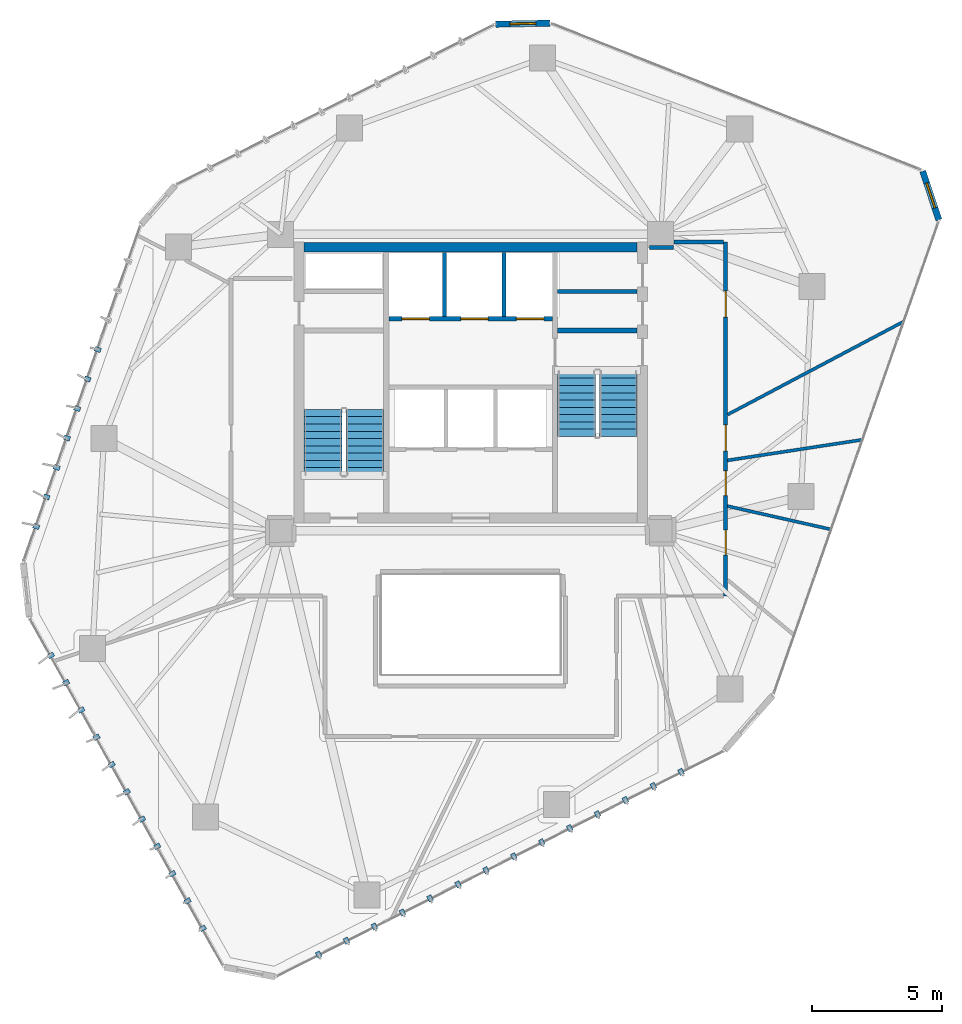
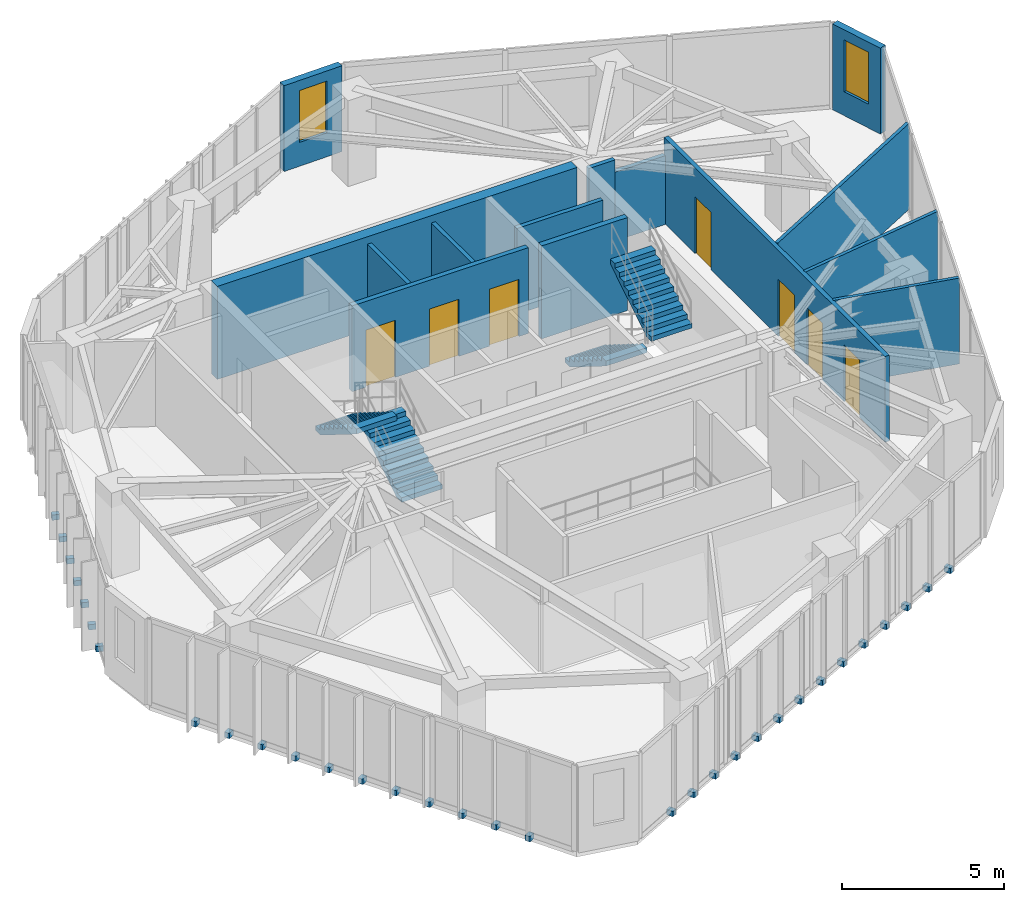
# One storey, part 17 of 20: 32 discrete accessories, 14 walls, 7 doors, 4 stair flights, 2 windows, 9 openings, 2 elements without a shape of their own.
"""IFC4 building model written with IfcOpenShell, lengths in metres."""

import ifcopenshell
import ifcopenshell.guid

model = None  # the IFC model being written
_history = None  # IfcOwnerHistory: only IFC2X3 demands one
_inside = {}  # id of a spatial element -> (the spatial element, [elements in it])
_under = {}  # id of a project, library or spatial element -> (it, [spatial elements below it])
_declared = {}  # id of a project -> (the project, [libraries it declares])
_typed = {}  # id of a type object -> (the type object, [elements of that type])
_made_of = {}  # id of a material, layer set ... -> (it, [elements and type objects made of it])


def new_model(schema):
    """Start an empty IFC model of exactly this schema.

    Asked for "IFC4X3", IfcOpenShell would pick the latest addendum, in which some entities
    have other attributes; the version numbers below select the first issue.
    IFC2X3 requires an IfcOwnerHistory on every rooted entity: one is made here for all.
    """
    global model, _history
    if schema == "IFC4X3":
        model = ifcopenshell.file(schema_version=(4, 3, 0, 0))
    else:
        model = ifcopenshell.file(schema=schema)
    _inside.clear()
    _under.clear()
    _declared.clear()
    _typed.clear()
    _made_of.clear()
    _history = None
    if model.schema == "IFC2X3":
        org = make("IfcOrganization", Name="unknown")
        user = make(
            "IfcPersonAndOrganization",
            ThePerson=make("IfcPerson", FamilyName="unknown"),
            TheOrganization=org,
        )
        app = make(
            "IfcApplication",
            ApplicationDeveloper=org,
            Version="unknown",
            ApplicationFullName="unknown",
            ApplicationIdentifier="unknown",
        )
        _history = make(
            "IfcOwnerHistory",
            OwningUser=user,
            OwningApplication=app,
            ChangeAction="ADDED",
            CreationDate=0,
        )
    return model


def make(cls, **values):
    """One entity of the class cls with the attributes given. An attribute that is None is left unset."""
    return model.create_entity(
        cls, **{name: value for name, value in values.items() if value is not None}
    )


def rooted(cls, **values):
    """An entity with a GlobalId (a new one), such as an element, a storey or a relation."""
    return make(cls, GlobalId=ifcopenshell.guid.new(), OwnerHistory=_history, **values)


def si_unit(unit_type, name, prefix=None):
    """IfcSIUnit, for example si_unit("LENGTHUNIT", "METRE", prefix="MILLI")."""
    return make("IfcSIUnit", UnitType=unit_type, Prefix=prefix, Name=name)


def assignment(units):
    """IfcUnitAssignment: the units of a project."""
    return None if units is None else make("IfcUnitAssignment", Units=units)


def point(xyz):
    """IfcCartesianPoint."""
    return None if xyz is None else make("IfcCartesianPoint", Coordinates=xyz)


def direction(xyz):
    """IfcDirection."""
    return None if xyz is None else make("IfcDirection", DirectionRatios=xyz)


def frame(location, z_axis=None, x_axis=None):
    """IfcAxis2Placement3D, a coordinate frame: its origin and axes. An axis left out is left unset."""
    return make(
        "IfcAxis2Placement3D",
        Location=point(location),
        Axis=direction(z_axis),
        RefDirection=direction(x_axis),
    )


def frame_2d(location, x_axis=None):
    """IfcAxis2Placement2D, a coordinate frame in the plane: its origin and x axis."""
    return make(
        "IfcAxis2Placement2D", Location=point(location), RefDirection=direction(x_axis)
    )


def origin():
    """The frame at (0, 0, 0) with its axes left unset."""
    return frame((0.0, 0.0, 0.0))


def origin_2d():
    """The frame at (0, 0) in the plane with its x axis left unset."""
    return frame_2d((0.0, 0.0))


def place(relative_to, where):
    """IfcLocalPlacement: puts the frame where relative to a parent placement (None: the world)."""
    return make(
        "IfcLocalPlacement", PlacementRelTo=relative_to, RelativePlacement=where
    )


def context(
    kind, dimensions, precision=None, world=None, true_north=None, identifier=None
):
    """IfcGeometricRepresentationContext, for example the 3D "Model" context."""
    return make(
        "IfcGeometricRepresentationContext",
        ContextIdentifier=identifier,
        ContextType=kind,
        CoordinateSpaceDimension=dimensions,
        Precision=precision,
        WorldCoordinateSystem=world,
        TrueNorth=true_north,
    )


def subcontext(parent, identifier, kind, view, scale=None):
    """IfcGeometricRepresentationSubContext, for example "Body" below "Model"."""
    return make(
        "IfcGeometricRepresentationSubContext",
        ContextIdentifier=identifier,
        ContextType=kind,
        ParentContext=parent,
        TargetScale=scale,
        TargetView=view,
    )


def project(units=None, contexts=None):
    """IfcProject with its units and contexts."""
    return rooted(
        "IfcProject",
        Name="project",
        RepresentationContexts=contexts,
        UnitsInContext=assignment(units),
    )


def spatial(cls, under=None, at=None, **own):
    """A site, building, storey or space (cls), placed at a placement, below another one or the project."""
    s = rooted(cls, ObjectPlacement=at, **own)
    if under is not None:
        _under.setdefault(under.id(), (under, []))[1].append(s)
    return s


def polyline(points):
    """IfcPolyline through the points."""
    return make("IfcPolyline", Points=[point(p) for p in points])


def profile(cls, at=None, kind="AREA", **sizes):
    """A parametric profile (cls). Its sizes go by their IFC names, for example OverallWidth=200.0."""
    return make(cls, ProfileType=kind, Position=at, **sizes)


def rectangle(**sizes):
    """IfcRectangleProfileDef."""
    return profile("IfcRectangleProfileDef", **sizes)


def outline(outer, holes=None, kind="AREA"):
    """IfcArbitraryClosedProfileDef: a profile drawn as a closed curve; with holes, ...WithVoids."""
    if holes is None:
        return make("IfcArbitraryClosedProfileDef", ProfileType=kind, OuterCurve=outer)
    return make(
        "IfcArbitraryProfileDefWithVoids",
        ProfileType=kind,
        OuterCurve=outer,
        InnerCurves=holes,
    )


def extrude(swept, where, along, depth):
    """IfcExtrudedAreaSolid: the profile swept, set in the frame where, extruded along a direction by depth."""
    return make(
        "IfcExtrudedAreaSolid",
        SweptArea=swept,
        Position=where,
        ExtrudedDirection=direction(along),
        Depth=depth,
    )


def shape(context_of_items, identifier, shape_type, items):
    """IfcShapeRepresentation: the items that make up one representation, for example the "Body"."""
    return make(
        "IfcShapeRepresentation",
        ContextOfItems=context_of_items,
        RepresentationIdentifier=identifier,
        RepresentationType=shape_type,
        Items=items,
    )


def source(mapping_origin, context_of_items, identifier, shape_type, items):
    """IfcRepresentationMap: a shape defined once, which mapped items show again and again."""
    return make(
        "IfcRepresentationMap",
        MappingOrigin=mapping_origin,
        MappedRepresentation=shape(context_of_items, identifier, shape_type, items),
    )


def transform(
    local_origin,
    x_axis=None,
    y_axis=None,
    z_axis=None,
    scale=None,
    scale2=None,
    scale3=None,
    uniform=True,
):
    """IfcCartesianTransformationOperator3D, or its non-uniform kind. x_axis, y_axis, z_axis: its Axis1, 2, 3."""
    if uniform:
        return make(
            "IfcCartesianTransformationOperator3D",
            Axis1=direction(x_axis),
            Axis2=direction(y_axis),
            LocalOrigin=point(local_origin),
            Scale=scale,
            Axis3=direction(z_axis),
        )
    return make(
        "IfcCartesianTransformationOperator3DnonUniform",
        Axis1=direction(x_axis),
        Axis2=direction(y_axis),
        LocalOrigin=point(local_origin),
        Scale=scale,
        Axis3=direction(z_axis),
        Scale2=scale2,
        Scale3=scale3,
    )


def mapped(mapping_source, mapping_target):
    """IfcMappedItem: shows the shape of a source again, moved by a transform."""
    return make(
        "IfcMappedItem", MappingSource=mapping_source, MappingTarget=mapping_target
    )


def material(Name=None, Category=None):
    """IfcMaterial."""
    return make("IfcMaterial", Name=Name, Category=Category)


def layer(
    of_material, thickness, ventilated=None, Name=None, Category=None, Priority=None
):
    """IfcMaterialLayer: one layer of a wall or slab, of a material (None: an air gap)."""
    return make(
        "IfcMaterialLayer",
        Material=of_material,
        LayerThickness=thickness,
        IsVentilated=ventilated,
        Name=Name,
        Category=Category,
        Priority=Priority,
    )


def layer_set(layers, Name=None):
    """IfcMaterialLayerSet."""
    return make("IfcMaterialLayerSet", MaterialLayers=layers, LayerSetName=Name)


def made_of(thing, what):
    """Note that an element or type object is made of a material, layer set ...; save() writes the relation."""
    if what is not None:
        _made_of.setdefault(what.id(), (what, []))[1].append(thing)
    return thing


def type_object(cls, material=None, **own):
    """A type object (cls), such as IfcWallType, which elements share."""
    return made_of(rooted(cls, **own), material)


def type_shapes(of_type, sources):
    """Give a type object the sources (RepresentationMaps) that its elements show as mapped items."""
    of_type.RepresentationMaps = sources


def element(
    cls,
    number,
    at=None,
    inside=None,
    cuts=None,
    type_object=None,
    material=None,
    context=None,
    identifier="Body",
    shape_type=None,
    held_by="IfcProductDefinitionShape",
    body=None,
    shapes=None,
    **own,
):
    """One element of the class cls, such as IfcWall. Its Tag is "e" and its number.

    at: its placement. inside: the storey or other place that contains it. cuts: it is an
    opening in that element (IfcRelVoidsElement). A single representation is given by context,
    identifier, shape_type and body (its items); several are given by shapes. held_by: the class
    of the entity that holds the representations. save() writes the other relations.
    """
    e = rooted(cls, Tag="e%d" % number, ObjectPlacement=at, **own)
    if body is not None:
        shapes = [shape(context, identifier, shape_type, body)]
    if shapes is not None:
        e.Representation = make(held_by, Representations=shapes)
    if inside is not None:
        _inside.setdefault(inside.id(), (inside, []))[1].append(e)
    if cuts is not None:
        rooted(
            "IfcRelVoidsElement", RelatingBuildingElement=cuts, RelatedOpeningElement=e
        )
    if type_object is not None:
        _typed.setdefault(type_object.id(), (type_object, []))[1].append(e)
    return made_of(e, material)


def fill(opening, filler):
    """IfcRelFillsElement: the door or window that sits in an opening."""
    return rooted(
        "IfcRelFillsElement",
        RelatingOpeningElement=opening,
        RelatedBuildingElement=filler,
    )


def aggregate(whole, parts):
    """IfcRelAggregates: a whole, such as a stair, and the parts it consists of."""
    return rooted("IfcRelAggregates", RelatingObject=whole, RelatedObjects=parts)


def save(model, path):
    """Write the relations noted so far, then the file.

    IfcRelAggregates (storeys below a building ...), IfcRelContainedInSpatialStructure (elements
    in a storey), IfcRelDefinesByType, IfcRelAssociatesMaterial and IfcRelDeclares: one each for
    every whole, place, type object, material and project.
    """
    for whole, parts in _under.values():
        aggregate(whole, parts)
    for where, things in _inside.values():
        rooted(
            "IfcRelContainedInSpatialStructure",
            RelatedElements=things,
            RelatingStructure=where,
        )
    for kind, things in _typed.values():
        rooted("IfcRelDefinesByType", RelatedObjects=things, RelatingType=kind)
    for what, things in _made_of.values():
        rooted("IfcRelAssociatesMaterial", RelatedObjects=things, RelatingMaterial=what)
    for by, libraries in _declared.values():
        rooted("IfcRelDeclares", RelatingContext=by, RelatedDefinitions=libraries)
    model.write(path)


model = new_model("IFC4")

# Units and contexts
model_context = context("Model", 3, precision=1e-05, world=origin(), true_north=direction((0.0, 1.0)))
body_context = subcontext(model_context, "Body", "Model", "MODEL_VIEW")
ifc_project = project(units=[si_unit("LENGTHUNIT", "METRE"), si_unit("AREAUNIT", "SQUARE_METRE"), si_unit("VOLUMEUNIT", "CUBIC_METRE"), si_unit("PLANEANGLEUNIT", "RADIAN"), si_unit("MASSUNIT", "GRAM", prefix="KILO")], contexts=[model_context])

# Site, building, storey
site_placement = place(None, origin())
site = spatial("IfcSite", under=ifc_project, at=site_placement, CompositionType="ELEMENT")
building_placement = place(site_placement, origin())
building = spatial("IfcBuilding", under=site, at=building_placement, Name="Talar Marvaseh", CompositionType="ELEMENT")
storey_placement = place(building_placement, frame((0.0, 0.0, 170.5)))
storey = spatial("IfcBuildingStorey", under=building, at=storey_placement, Name="L44", CompositionType="ELEMENT", Elevation=170.5)

# Wall, opening, window
ifc_material_1 = material(Name="Precast concrete C45/55", Category="concrete")
ifc_layer_1 = layer(ifc_material_1, 0.239990234375)
ifc_layer_set_1 = layer_set([ifc_layer_1], Name="Precast concrete C45/55")
wall_type_1 = type_object("IfcWallType", Name="Chamfered Hexagonal Corner Pier Wall Z3 240", PredefinedType="SOLIDWALL", material=ifc_layer_set_1)
wall_1_placement = place(storey_placement, frame((26.962890625, 44.97265625, 0.0), z_axis=(0.0, 0.0, 1.0), x_axis=(0.999807192262, 0.019636147802, 0.0)))
wall_1 = element("IfcWall", 1, at=wall_1_placement, inside=storey, type_object=wall_type_1, Name="L44 Chamfered Corner Limestone Pier 4", PredefinedType="SOLIDWALL", context=body_context, shape_type="SweptSolid", body=[
    extrude(rectangle(XDim=2.0888671875, YDim=0.239990234375, at=frame_2d((1.04443359375, 0.0))), origin(), (0.0, 0.0, 1.0), 3.22998046875),
])
opening_1_placement = place(wall_1_placement, frame((0.5439453125, 0.0, 0.89990234375)))
opening_1 = element("IfcOpeningElement", 2, at=opening_1_placement, cuts=wall_1, Name="Opening WN-CHM10", PredefinedType="OPENING", context=body_context, shape_type="SweptSolid", body=[
    extrude(rectangle(XDim=1.0, YDim=1.949951171875, at=frame_2d((0.5, 0.97509765625))), frame((0.0, 0.1298828125, 0.0), z_axis=(0.0, -1.0, 0.0), x_axis=(1.0, 0.0, 0.0)), (0.0, 0.0, 1.0), 0.260009765625),
])
ifc_material_2 = material(Name="Laminated Low-E Solar Glass", Category="glass")
window_type = type_object("IfcWindowType", Name="Zone 3 Chamfered Corner Slot Window 1000x1950", PartitioningType="SINGLE_PANEL", PredefinedType="WINDOW", material=ifc_material_2)
shared_shape_1 = source(origin(), body_context, "Body", "SweptSolid", [
    extrude(rectangle(XDim=1.0, YDim=1.949951171875, at=frame_2d((0.5, 0.97509765625))), frame((0.0, 0.030029296875, 0.0), z_axis=(0.0, -1.0, 0.0), x_axis=(1.0, 0.0, 0.0)), (0.0, 0.0, 1.0), 0.06005859375),
])
type_shapes(window_type, [shared_shape_1])
window_1_placement = place(opening_1_placement, origin())
window_1 = element("IfcWindow", 3, at=window_1_placement, inside=storey, type_object=window_type, Name="L44 Chamfered Corner Slot Window", OverallHeight=1.949951171875, OverallWidth=1.0, PartitioningType="SINGLE_PANEL", PredefinedType="WINDOW", context=body_context, shape_type="MappedRepresentation", body=[
    mapped(shared_shape_1, transform((0.0, 0.0, 0.0), x_axis=(1.0, 0.0, 0.0), y_axis=(0.0, 1.0, 0.0), z_axis=(0.0, 0.0, 1.0), scale=1.0)),
])
fill(opening_1, window_1)

wall_2_placement = place(storey_placement, frame((43.37158203125, 39.326904296875, 0.0), z_axis=(0.0, 0.0, 1.0), x_axis=(0.31441255674, -0.949286439471, 0.0)))
wall_2 = element("IfcWall", 4, at=wall_2_placement, inside=storey, type_object=wall_type_1, Name="L44 Chamfered Corner Limestone Pier 5", PredefinedType="SOLIDWALL", context=body_context, shape_type="SweptSolid", body=[
    extrude(rectangle(XDim=1.977783203125, YDim=0.239990234375, at=frame_2d((0.98876953125, 0.0))), origin(), (0.0, 0.0, 1.0), 3.22998046875),
])
opening_2_placement = place(wall_2_placement, frame((0.489013671875, 0.0, 0.89990234375)))
opening_2 = element("IfcOpeningElement", 5, at=opening_2_placement, cuts=wall_2, Name="Opening WN-CHM10", PredefinedType="OPENING", context=body_context, shape_type="SweptSolid", body=[
    extrude(rectangle(XDim=1.0, YDim=1.949951171875, at=frame_2d((0.5, 0.97509765625))), frame((0.0, 0.1298828125, 0.0), z_axis=(0.0, -1.0, 0.0), x_axis=(1.0, 0.0, 0.0)), (0.0, 0.0, 1.0), 0.260009765625),
])
window_2_placement = place(opening_2_placement, origin())
window_2 = element("IfcWindow", 6, at=window_2_placement, inside=storey, type_object=window_type, Name="L44 Chamfered Corner Slot Window", OverallHeight=1.949951171875, OverallWidth=1.0, PartitioningType="SINGLE_PANEL", PredefinedType="WINDOW", context=body_context, shape_type="MappedRepresentation", body=[
    mapped(shared_shape_1, transform((0.0, 0.0, 0.0), x_axis=(1.0, 0.0, 0.0), y_axis=(0.0, 1.0, 0.0), z_axis=(0.0, 0.0, 1.0), scale=1.0)),
])
fill(opening_2, window_2)

# Wall
ifc_material_3 = material(Name="Gypsum Board Partition Assembly")
ifc_layer_2 = layer(ifc_material_3, 0.155029296875)
ifc_layer_set_2 = layer_set([ifc_layer_2], Name="Gypsum Board Partition Assembly")
wall_type_2 = type_object("IfcWallType", Name="Corridor Fire-Rated Acoustic Partition 155", PredefinedType="PARTITIONING", material=ifc_layer_set_2)
wall_3_placement = place(storey_placement, frame((29.340087890625, 34.699951171875, 0.0), z_axis=(0.0, 0.0, 1.0), x_axis=(1.0, 0.0, 0.0)))
element("IfcWall", 7, at=wall_3_placement, inside=storey, type_object=wall_type_2, Name="L44 Core BOH Partition", PredefinedType="PARTITIONING", context=body_context, shape_type="SweptSolid", body=[
    extrude(rectangle(XDim=3.059814453125, YDim=0.155029296875, at=frame_2d((1.52978515625, 0.0))), origin(), (0.0, 0.0, 1.0), 3.22998046875),
])

# Wall, openings, doors
wall_4_placement = place(storey_placement, frame((35.800048828125, 36.60009765625, 0.0), z_axis=(0.0, 0.0, 1.0), x_axis=(0.0, -1.0, 0.0)))
wall_4 = element("IfcWall", 8, at=wall_4_placement, inside=storey, type_object=wall_type_2, Name="L44 Interior Partition Wall", PredefinedType="PARTITIONING", context=body_context, shape_type="SweptSolid", body=[
    extrude(rectangle(XDim=13.60009765625, YDim=0.155029296875, at=frame_2d((6.800048828125, 0.0))), origin(), (0.0, 0.0, 1.0), 3.22998046875),
])
opening_3_placement = place(wall_4_placement, frame((11.07275390625, 0.0, 0.0)))
opening_3 = element("IfcOpeningElement", 9, at=opening_3_placement, cuts=wall_4, Name="Opening DR-WC095", PredefinedType="OPENING", context=body_context, shape_type="SweptSolid", body=[
    extrude(rectangle(XDim=0.949951171875, YDim=2.14990234375, at=frame_2d((0.47509765625, 1.074951171875))), frame((0.0, 0.08740234375, 0.0), z_axis=(0.0, -1.0, 0.0), x_axis=(1.0, 0.0, 0.0)), (0.0, 0.0, 1.0), 0.175048828125),
])
opening_4_placement = place(wall_4_placement, frame((8.789794921875, 0.0, 0.0)))
opening_4 = element("IfcOpeningElement", 10, at=opening_4_placement, cuts=wall_4, Name="Opening DR-WC095", PredefinedType="OPENING", context=body_context, shape_type="SweptSolid", body=[
    extrude(rectangle(XDim=0.949951171875, YDim=2.14990234375, at=frame_2d((0.47509765625, 1.074951171875))), frame((0.0, 0.08740234375, 0.0), z_axis=(0.0, -1.0, 0.0), x_axis=(1.0, 0.0, 0.0)), (0.0, 0.0, 1.0), 0.175048828125),
])
opening_5_placement = place(wall_4_placement, frame((7.023681640625, 0.0, 0.0)))
opening_5 = element("IfcOpeningElement", 11, at=opening_5_placement, cuts=wall_4, Name="Opening DR-RM100", PredefinedType="OPENING", context=body_context, shape_type="SweptSolid", body=[
    extrude(rectangle(XDim=1.0, YDim=2.14990234375, at=frame_2d((0.5, 1.074951171875))), frame((0.0, 0.08740234375, 0.0), z_axis=(0.0, -1.0, 0.0), x_axis=(1.0, 0.0, 0.0)), (0.0, 0.0, 1.0), 0.175048828125),
])
opening_6_placement = place(wall_4_placement, frame((1.883056640625, 0.0, 0.0)))
opening_6 = element("IfcOpeningElement", 12, at=opening_6_placement, cuts=wall_4, Name="Opening DR-RM100", PredefinedType="OPENING", context=body_context, shape_type="SweptSolid", body=[
    extrude(rectangle(XDim=1.0, YDim=2.14990234375, at=frame_2d((0.5, 1.074951171875))), frame((0.0, 0.08740234375, 0.0), z_axis=(0.0, -1.0, 0.0), x_axis=(1.0, 0.0, 0.0)), (0.0, 0.0, 1.0), 0.175048828125),
])
ifc_material_4 = material(Name="Acoustic Engineered Oak Timber", Category="wood")
door_type_1 = type_object("IfcDoorType", Name="Washroom and Service Room Door 950x2150", OperationType="NOTDEFINED", PredefinedType="DOOR", material=ifc_material_4)
shared_shape_2 = source(origin(), body_context, "Body", "SweptSolid", [
    extrude(rectangle(XDim=0.949951171875, YDim=2.14990234375, at=frame_2d((0.47509765625, 1.074951171875))), frame((0.0, 0.02490234375, 0.0), z_axis=(0.0, -1.0, 0.0), x_axis=(1.0, 0.0, 0.0)), (0.0, 0.0, 1.0), 0.050048828125),
])
type_shapes(door_type_1, [shared_shape_2])
door_1_placement = place(opening_3_placement, origin())
door_1 = element("IfcDoor", 13, at=door_1_placement, inside=storey, type_object=door_type_1, Name="L44 Accessible WC Door", OperationType="SINGLE_SWING_RIGHT", OverallHeight=2.14990234375, OverallWidth=0.949951171875, PredefinedType="DOOR", context=body_context, shape_type="MappedRepresentation", body=[
    mapped(shared_shape_2, transform((0.0, 0.0, 0.0), x_axis=(1.0, 0.0, 0.0), y_axis=(0.0, 1.0, 0.0), z_axis=(0.0, 0.0, 1.0), scale=1.0)),
])
fill(opening_3, door_1)
door_2_placement = place(opening_4_placement, origin())
door_2 = element("IfcDoor", 14, at=door_2_placement, inside=storey, type_object=door_type_1, Name="L44 WC Public Washrooms Door", OperationType="SINGLE_SWING_LEFT", OverallHeight=2.14990234375, OverallWidth=0.949951171875, PredefinedType="DOOR", context=body_context, shape_type="MappedRepresentation", body=[
    mapped(shared_shape_2, transform((0.0, 0.0, 0.0), x_axis=(1.0, 0.0, 0.0), y_axis=(0.0, 1.0, 0.0), z_axis=(0.0, 0.0, 1.0), scale=1.0)),
])
fill(opening_4, door_2)
door_type_2 = type_object("IfcDoorType", Name="Corridor Fire-Rated Gallery Door 1000x2150", OperationType="NOTDEFINED", PredefinedType="DOOR", material=ifc_material_4)
shared_shape_3 = source(origin(), body_context, "Body", "SweptSolid", [
    extrude(rectangle(XDim=1.0, YDim=2.14990234375, at=frame_2d((0.5, 1.074951171875))), frame((0.0, 0.02490234375, 0.0), z_axis=(0.0, -1.0, 0.0), x_axis=(1.0, 0.0, 0.0)), (0.0, 0.0, 1.0), 0.050048828125),
])
type_shapes(door_type_2, [shared_shape_3])
door_3_placement = place(opening_5_placement, origin())
door_3 = element("IfcDoor", 15, at=door_3_placement, inside=storey, type_object=door_type_2, Name="L44 Artisan Craft Showroom Door", OperationType="SINGLE_SWING_RIGHT", OverallHeight=2.14990234375, OverallWidth=1.0, PredefinedType="DOOR", context=body_context, shape_type="MappedRepresentation", body=[
    mapped(shared_shape_3, transform((0.0, 0.0, 0.0), x_axis=(1.0, 0.0, 0.0), y_axis=(0.0, 1.0, 0.0), z_axis=(0.0, 0.0, 1.0), scale=1.0)),
])
fill(opening_5, door_3)
door_4_placement = place(opening_6_placement, origin())
door_4 = element("IfcDoor", 16, at=door_4_placement, inside=storey, type_object=door_type_2, Name="L44 Conservation Briefing Room Door", OperationType="SINGLE_SWING_LEFT", OverallHeight=2.14990234375, OverallWidth=1.0, PredefinedType="DOOR", context=body_context, shape_type="MappedRepresentation", body=[
    mapped(shared_shape_3, transform((0.0, 0.0, 0.0), x_axis=(1.0, 0.0, 0.0), y_axis=(0.0, 1.0, 0.0), z_axis=(0.0, 0.0, 1.0), scale=1.0)),
])
fill(opening_6, door_4)

# Walls
wall_5_placement = place(storey_placement, frame((32.8701171875, 36.385009765625, 0.0), z_axis=(0.0, 0.0, 1.0), x_axis=(0.999999965754, 0.000261711585, 0.0)))
element("IfcWall", 17, at=wall_5_placement, inside=storey, type_object=wall_type_2, Name="L44 Interior Partition Wall", PredefinedType="PARTITIONING", context=body_context, shape_type="SweptSolid", body=[
    extrude(rectangle(XDim=0.932861328125, YDim=0.155029296875, at=frame_2d((0.46630859375, 0.0))), origin(), (0.0, 0.0, 1.0), 3.22998046875),
])
wall_6_placement = place(storey_placement, frame((33.81494140625, 36.60009765625, 0.0), z_axis=(0.0, 0.0, 1.0), x_axis=(1.0, 0.0, 0.0)))
element("IfcWall", 18, at=wall_6_placement, inside=storey, type_object=wall_type_2, Name="L44 Interior Partition Wall", PredefinedType="PARTITIONING", context=body_context, shape_type="SweptSolid", body=[
    extrude(rectangle(XDim=1.901611328125, YDim=0.155029296875, at=frame_2d((0.95068359375, 0.0))), origin(), (0.0, 0.0, 1.0), 2.589111328125),
])
ifc_layer_3 = layer(ifc_material_3, 0.1201171875)
ifc_layer_set_3 = layer_set([ifc_layer_3], Name="Gypsum Board Partition Assembly")
wall_type_3 = type_object("IfcWallType", Name="Demountable Studio Room Partition 120", PredefinedType="PARTITIONING", material=ifc_layer_set_3)
wall_7_placement = place(storey_placement, frame((35.86328125, 26.455810546875, 0.0), z_axis=(0.0, 0.0, 1.0), x_axis=(0.975530874445, -0.219862486578, 0.0)))
element("IfcWall", 19, at=wall_7_placement, inside=storey, type_object=wall_type_3, Name="L44 Interior Partition Wall", PredefinedType="PARTITIONING", context=body_context, shape_type="SweptSolid", body=[
    extrude(rectangle(XDim=4.06298828125, YDim=0.1201171875, at=frame_2d((2.031494140625, 0.0))), origin(), (0.0, 0.0, 1.0), 3.22998046875),
])
wall_8_placement = place(storey_placement, frame((35.8642578125, 28.209716796875, 0.0), z_axis=(0.0, 0.0, 1.0), x_axis=(0.988483738203, 0.151327126809, 0.0)))
element("IfcWall", 20, at=wall_8_placement, inside=storey, type_object=wall_type_3, Name="L44 Interior Partition Wall", PredefinedType="PARTITIONING", context=body_context, shape_type="SweptSolid", body=[
    extrude(rectangle(XDim=5.227294921875, YDim=0.1201171875, at=frame_2d((2.61376953125, 0.0))), origin(), (0.0, 0.0, 1.0), 3.22998046875),
])
wall_9_placement = place(storey_placement, frame((35.883544921875, 29.97412109375, 0.0), z_axis=(0.0, 0.0, 1.0), x_axis=(0.883983385428, 0.467518314387, 0.0)))
element("IfcWall", 21, at=wall_9_placement, inside=storey, type_object=wall_type_3, Name="L44 Interior Partition Wall", PredefinedType="PARTITIONING", context=body_context, shape_type="SweptSolid", body=[
    extrude(rectangle(XDim=7.62255859375, YDim=0.1201171875, at=frame_2d((3.811279296875, 0.0))), origin(), (0.0, 0.0, 1.0), 3.22998046875),
])
ifc_layer_4 = layer(ifc_material_1, 0.14501953125)
ifc_layer_set_4 = layer_set([ifc_layer_4], Name="Precast concrete C45/55")
wall_type_4 = type_object("IfcWallType", Name="Fire-Rated Lift Divider Wall 145", PredefinedType="SOLIDWALL", material=ifc_layer_set_4)
for number, where, z_axis, x_axis, name in (
    (22, (25.0, 33.743408203125, 0.0), (0.0, 0.0, 1.0), (0.0, 1.0, 0.0), "L44 FFL-1/FFL-2 Divider"),
    (23, (27.280029296875, 33.743408203125, 0.0), (0.0, 0.0, 1.0), (0.0, 1.0, 0.0), "L44 FFL-2/SVL-1 Divider"),
):
    element("IfcWall", number, at=place(storey_placement, frame(where, z_axis=z_axis, x_axis=x_axis)), inside=storey, type_object=wall_type_4, Name=name, PredefinedType="SOLIDWALL", context=body_context, shape_type="SweptSolid", body=[
        extrude(rectangle(XDim=2.45654296875, YDim=0.14501953125, at=frame_2d((1.228271484375, 0.0))), origin(), (0.0, 0.0, 1.0), 3.22998046875),
    ])

# Wall, openings, doors
ifc_layer_5 = layer(ifc_material_1, 0.175048828125)
ifc_layer_set_5 = layer_set([ifc_layer_5], Name="Precast concrete C45/55")
wall_type_5 = type_object("IfcWallType", Name="Fire-Rated Lift Hoistway Enclosure Wall 175", PredefinedType="SOLIDWALL", material=ifc_layer_set_5)
wall_10_placement = place(storey_placement, frame((22.860107421875, 33.64990234375, 0.0), z_axis=(0.0, 0.0, 1.0), x_axis=(1.0, 0.0, 0.0)))
wall_10 = element("IfcWall", 24, at=wall_10_placement, inside=storey, type_object=wall_type_5, Name="L44 Firefighting and Service Lift Front Wall", PredefinedType="SOLIDWALL", context=body_context, shape_type="SweptSolid", body=[
    extrude(rectangle(XDim=6.27978515625, YDim=0.175048828125, at=frame_2d((3.139892578125, 0.0))), origin(), (0.0, 0.0, 1.0), 3.22998046875),
])
opening_7_placement = place(wall_10_placement, frame((0.5, 0.0, 0.0)))
opening_7 = element("IfcOpeningElement", 25, at=opening_7_placement, cuts=wall_10, Name="Opening LD-FF1", PredefinedType="OPENING", context=body_context, shape_type="SweptSolid", body=[
    extrude(rectangle(XDim=1.050048828125, YDim=2.14990234375, at=frame_2d((0.52490234375, 1.074951171875))), frame((0.0, 0.09765625, 0.0), z_axis=(0.0, -1.0, 0.0), x_axis=(1.0, 0.0, 0.0)), (0.0, 0.0, 1.0), 0.195068359375),
])
opening_8_placement = place(wall_10_placement, frame((2.760009765625, 0.0, 0.0)))
opening_8 = element("IfcOpeningElement", 26, at=opening_8_placement, cuts=wall_10, Name="Opening LD-FF2", PredefinedType="OPENING", context=body_context, shape_type="SweptSolid", body=[
    extrude(rectangle(XDim=1.050048828125, YDim=2.14990234375, at=frame_2d((0.52490234375, 1.074951171875))), frame((0.0, 0.09765625, 0.0), z_axis=(0.0, -1.0, 0.0), x_axis=(1.0, 0.0, 0.0)), (0.0, 0.0, 1.0), 0.195068359375),
])
opening_9_placement = place(wall_10_placement, frame((4.89990234375, 0.0, 0.0)))
opening_9 = element("IfcOpeningElement", 27, at=opening_9_placement, cuts=wall_10, Name="Opening LD-SV1", PredefinedType="OPENING", context=body_context, shape_type="SweptSolid", body=[
    extrude(rectangle(XDim=1.050048828125, YDim=2.14990234375, at=frame_2d((0.52490234375, 1.074951171875))), frame((0.0, 0.09765625, 0.0), z_axis=(0.0, -1.0, 0.0), x_axis=(1.0, 0.0, 0.0)), (0.0, 0.0, 1.0), 0.195068359375),
])
ifc_material_5 = material(Name="Stainless Steel Grade 316", Category="steel")
door_type_3 = type_object("IfcDoorType", Name="Automatic Sliding Lift Landing Door 1050x2150", OperationType="NOTDEFINED", PredefinedType="DOOR", material=ifc_material_5)
shared_shape_4 = source(origin(), body_context, "Body", "SweptSolid", [
    extrude(rectangle(XDim=1.050048828125, YDim=2.14990234375, at=frame_2d((0.52490234375, 1.074951171875))), frame((0.0, 0.02490234375, 0.0), z_axis=(0.0, -1.0, 0.0), x_axis=(1.0, 0.0, 0.0)), (0.0, 0.0, 1.0), 0.050048828125),
])
type_shapes(door_type_3, [shared_shape_4])
door_5_placement = place(opening_7_placement, origin())
door_5 = element("IfcDoor", 28, at=door_5_placement, inside=storey, type_object=door_type_3, Name="L44 Lift FFL-1 Sliding Landing Door", OperationType="SLIDING_TO_LEFT", OverallHeight=2.14990234375, OverallWidth=1.050048828125, PredefinedType="DOOR", context=body_context, shape_type="MappedRepresentation", body=[
    mapped(shared_shape_4, transform((0.0, 0.0, 0.0), x_axis=(1.0, 0.0, 0.0), y_axis=(0.0, 1.0, 0.0), z_axis=(0.0, 0.0, 1.0), scale=1.0)),
])
fill(opening_7, door_5)
door_6_placement = place(opening_8_placement, origin())
door_6 = element("IfcDoor", 29, at=door_6_placement, inside=storey, type_object=door_type_3, Name="L44 Lift FFL-2 Sliding Landing Door", OperationType="SLIDING_TO_LEFT", OverallHeight=2.14990234375, OverallWidth=1.050048828125, PredefinedType="DOOR", context=body_context, shape_type="MappedRepresentation", body=[
    mapped(shared_shape_4, transform((0.0, 0.0, 0.0), x_axis=(1.0, 0.0, 0.0), y_axis=(0.0, 1.0, 0.0), z_axis=(0.0, 0.0, 1.0), scale=1.0)),
])
fill(opening_8, door_6)
door_7_placement = place(opening_9_placement, origin())
door_7 = element("IfcDoor", 30, at=door_7_placement, inside=storey, type_object=door_type_3, Name="L44 Lift SVL-1 Sliding Landing Door", OperationType="SLIDING_TO_LEFT", OverallHeight=2.14990234375, OverallWidth=1.050048828125, PredefinedType="DOOR", context=body_context, shape_type="MappedRepresentation", body=[
    mapped(shared_shape_4, transform((0.0, 0.0, 0.0), x_axis=(1.0, 0.0, 0.0), y_axis=(0.0, 1.0, 0.0), z_axis=(0.0, 0.0, 1.0), scale=1.0)),
])
fill(opening_9, door_7)

# Walls
ifc_material_6 = material(Name="Concrete C60/75", Category="concrete")
ifc_layer_6 = layer(ifc_material_6, 0.3798828125)
ifc_layer_set_6 = layer_set([ifc_layer_6], Name="Concrete C60/75")
wall_type_6 = type_object("IfcWallType", Name="Mid Core Reinforced Concrete Shear Wall 380", PredefinedType="SHEAR", material=ifc_layer_set_6)
wall_11_placement = place(storey_placement, frame((19.60009765625, 36.39990234375, 0.0), z_axis=(0.0, 0.0, 1.0), x_axis=(1.0, 0.0, 0.0)))
element("IfcWall", 31, at=wall_11_placement, inside=storey, type_object=wall_type_6, Name="L44 North Core Shear Wall", PredefinedType="SHEAR", context=body_context, shape_type="SweptSolid", body=[
    extrude(rectangle(XDim=12.7998046875, YDim=0.3798828125, at=frame_2d((6.39990234375, 0.0))), origin(), (0.0, 0.0, 1.0), 3.5),
])
ifc_material_7 = material(Name="Concrete C50/60", Category="concrete")
ifc_layer_7 = layer(ifc_material_7, 0.199951171875)
ifc_layer_set_7 = layer_set([ifc_layer_7], Name="Concrete C50/60")
wall_type_7 = type_object("IfcWallType", Name="Stair Shaft Structural Concrete Shear Wall 200", PredefinedType="SHEAR", material=ifc_layer_set_7)
wall_12_placement = place(storey_placement, frame((29.340087890625, 33.199951171875, 0.0), z_axis=(0.0, 0.0, 1.0), x_axis=(1.0, 0.0, 0.0)))
element("IfcWall", 32, at=wall_12_placement, inside=storey, type_object=wall_type_7, Name="L44 Stair ST-2 North Shear Wall", PredefinedType="SHEAR", context=body_context, shape_type="SweptSolid", body=[
    extrude(rectangle(XDim=3.059814453125, YDim=0.199951171875, at=frame_2d((1.52978515625, 0.0))), origin(), (0.0, 0.0, 1.0), 3.5),
])

# Stair, stair flights
ifc_material_8 = material(Name="Concrete C40/50", Category="concrete")
stair_type = type_object("IfcStairType", Name="Reinforced Concrete High-Rise Exit Stair Type C", PredefinedType="HALF_TURN_STAIR", material=ifc_material_8)
stair_1_placement = place(storey_placement, origin())
stair_1 = element("IfcStair", 33, at=stair_1_placement, inside=storey, type_object=stair_type, Name="L44 Tower West Core Exit Stair", PredefinedType="HALF_TURN_STAIR")
ifc_layer_8 = layer(ifc_material_8, 0.159912109375)
ifc_layer_set_8 = layer_set([ifc_layer_8], Name="Concrete C40/50")
stair_flight_type = type_object("IfcStairFlightType", Name="Reinforced Concrete Straight Stair Flight 160", PredefinedType="STRAIGHT", material=ifc_layer_set_8)
stair_flight_1_placement = place(storey_placement, frame((21.93505859375, 27.64990234375, 0.0), z_axis=(0.0, 0.0, 1.0), x_axis=(0.0, 1.0, 0.0)))
stair_flight_1 = element("IfcStairFlight", 34, at=stair_flight_1_placement, type_object=stair_flight_type, Name="ST-1 flight 1", NumberOfRisers=10, NumberOfTreads=9, PredefinedType="STRAIGHT", RiserHeight=0.175, TreadLength=0.28, context=body_context, shape_type="SweptSolid", body=[
    extrude(outline(polyline([(0.0, 0.0), (0.0, 0.175048828125), (0.280029296875, 0.175048828125), (0.280029296875, 0.35009765625), (0.56005859375, 0.35009765625), (0.56005859375, 0.52490234375), (0.840087890625, 0.52490234375), (0.840087890625, 0.699951171875), (1.1201171875, 0.699951171875), (1.1201171875, 0.875), (1.39990234375, 0.875), (1.39990234375, 1.050048828125), (1.679931640625, 1.050048828125), (1.679931640625, 1.22509765625), (1.9599609375, 1.22509765625), (1.9599609375, 1.39990234375), (2.239990234375, 1.39990234375), (2.239990234375, 1.574951171875), (2.52001953125, 1.574951171875), (2.52001953125, 1.75), (2.52001953125, 1.386474609375), (0.3017578125, 0.0), (0.0, 0.0)])), frame((0.0, 0.72509765625, 0.0), z_axis=(0.0, -1.0, 0.0), x_axis=(1.0, 0.0, 0.0)), (0.0, 0.0, 1.0), 1.449951171875),
])
stair_flight_2_placement = place(storey_placement, frame((20.324951171875, 30.169921875, 1.75), z_axis=(0.0, 0.0, 1.0), x_axis=(0.0, -1.0, 0.0)))
stair_flight_2 = element("IfcStairFlight", 35, at=stair_flight_2_placement, type_object=stair_flight_type, Name="ST-1 flight 2", NumberOfRisers=10, NumberOfTreads=9, PredefinedType="STRAIGHT", RiserHeight=0.175, TreadLength=0.28, context=body_context, shape_type="SweptSolid", body=[
    extrude(outline(polyline([(0.0, 0.0), (0.0, 0.175048828125), (0.280029296875, 0.175048828125), (0.280029296875, 0.35009765625), (0.56005859375, 0.35009765625), (0.56005859375, 0.52490234375), (0.840087890625, 0.52490234375), (0.840087890625, 0.699951171875), (1.1201171875, 0.699951171875), (1.1201171875, 0.875), (1.39990234375, 0.875), (1.39990234375, 1.050048828125), (1.679931640625, 1.050048828125), (1.679931640625, 1.22509765625), (1.9599609375, 1.22509765625), (1.9599609375, 1.39990234375), (2.239990234375, 1.39990234375), (2.239990234375, 1.574951171875), (2.52001953125, 1.574951171875), (2.52001953125, 1.75), (2.52001953125, 1.386474609375), (0.3017578125, 0.0), (0.0, 0.0)])), frame((0.0, 0.72509765625, 0.0), z_axis=(0.0, -1.0, 0.0), x_axis=(1.0, 0.0, 0.0)), (0.0, 0.0, 1.0), 1.449951171875),
])
aggregate(stair_1, [stair_flight_1, stair_flight_2])

stair_2_placement = place(storey_placement, origin())
stair_2 = element("IfcStair", 36, at=stair_2_placement, inside=storey, type_object=stair_type, Name="L44 Tower East Core Exit Stair", PredefinedType="HALF_TURN_STAIR")
stair_flight_3_placement = place(storey_placement, frame((30.06494140625, 31.64990234375, 0.0), z_axis=(0.0, 0.0, 1.0), x_axis=(0.0, -1.0, 0.0)))
stair_flight_3 = element("IfcStairFlight", 37, at=stair_flight_3_placement, type_object=stair_flight_type, Name="ST-2 flight 1", NumberOfRisers=10, NumberOfTreads=9, PredefinedType="STRAIGHT", RiserHeight=0.175, TreadLength=0.28, context=body_context, shape_type="SweptSolid", body=[
    extrude(outline(polyline([(0.0, 0.0), (0.0, 0.175048828125), (0.280029296875, 0.175048828125), (0.280029296875, 0.35009765625), (0.56005859375, 0.35009765625), (0.56005859375, 0.52490234375), (0.840087890625, 0.52490234375), (0.840087890625, 0.699951171875), (1.1201171875, 0.699951171875), (1.1201171875, 0.875), (1.39990234375, 0.875), (1.39990234375, 1.050048828125), (1.679931640625, 1.050048828125), (1.679931640625, 1.22509765625), (1.9599609375, 1.22509765625), (1.9599609375, 1.39990234375), (2.239990234375, 1.39990234375), (2.239990234375, 1.574951171875), (2.52001953125, 1.574951171875), (2.52001953125, 1.75), (2.52001953125, 1.386474609375), (0.3017578125, 0.0), (0.0, 0.0)])), frame((0.0, 0.72509765625, 0.0), z_axis=(0.0, -1.0, 0.0), x_axis=(1.0, 0.0, 0.0)), (0.0, 0.0, 1.0), 1.449951171875),
])
stair_flight_4_placement = place(storey_placement, frame((31.675048828125, 29.1298828125, 1.75), z_axis=(0.0, 0.0, 1.0), x_axis=(0.0, 1.0, 0.0)))
stair_flight_4 = element("IfcStairFlight", 38, at=stair_flight_4_placement, type_object=stair_flight_type, Name="ST-2 flight 2", NumberOfRisers=10, NumberOfTreads=9, PredefinedType="STRAIGHT", RiserHeight=0.175, TreadLength=0.28, context=body_context, shape_type="SweptSolid", body=[
    extrude(outline(polyline([(0.0, 0.0), (0.0, 0.175048828125), (0.280029296875, 0.175048828125), (0.280029296875, 0.35009765625), (0.56005859375, 0.35009765625), (0.56005859375, 0.52490234375), (0.840087890625, 0.52490234375), (0.840087890625, 0.699951171875), (1.1201171875, 0.699951171875), (1.1201171875, 0.875), (1.39990234375, 0.875), (1.39990234375, 1.050048828125), (1.679931640625, 1.050048828125), (1.679931640625, 1.22509765625), (1.9599609375, 1.22509765625), (1.9599609375, 1.39990234375), (2.239990234375, 1.39990234375), (2.239990234375, 1.574951171875), (2.52001953125, 1.574951171875), (2.52001953125, 1.75), (2.52001953125, 1.386474609375), (0.3017578125, 0.0), (0.0, 0.0)])), frame((0.0, 0.72509765625, 0.0), z_axis=(0.0, -1.0, 0.0), x_axis=(1.0, 0.0, 0.0)), (0.0, 0.0, 1.0), 1.449951171875),
])
aggregate(stair_2, [stair_flight_3, stair_flight_4])

# Discrete accessories
discrete_accessory_type = type_object("IfcDiscreteAccessoryType", Name="Stainless Slab-Edge Fin Mounting Bracket", PredefinedType="BRACKET", material=ifc_material_5)
shared_shape_5 = source(origin(), body_context, "Body", "SweptSolid", [
    extrude(rectangle(XDim=0.239990234375, YDim=0.179931640625, at=origin_2d()), origin(), (0.0, 0.0, 1.0), 0.199951171875),
])
type_shapes(discrete_accessory_type, [shared_shape_5])
for number, where, z_axis, x_axis, name in (
    (39, (15.706298828125, 10.231689453125, -0.18017578125), (0.0, 0.0, 1.0), (-0.873772223035, -0.486335380423, 0.0), "L44 Vertical Fin Slab-Edge Bracket"),
    (40, (15.122802734375, 11.2802734375, -0.18017578125), (0.0, 0.0, 1.0), (-0.873772223035, -0.486335380423, 0.0), "L44 Vertical Fin Slab-Edge Bracket"),
    (41, (14.539306640625, 12.328857421875, -0.18017578125), (0.0, 0.0, 1.0), (-0.873772223035, -0.486335380423, 0.0), "L44 Vertical Fin Slab-Edge Bracket"),
    (42, (13.955810546875, 13.37744140625, -0.18017578125), (0.0, 0.0, 1.0), (-0.873772223035, -0.486335380423, 0.0), "L44 Vertical Fin Slab-Edge Bracket"),
    (43, (13.372314453125, 14.42578125, -0.18017578125), (0.0, 0.0, 1.0), (-0.873772223035, -0.486335380423, 0.0), "L44 Vertical Fin Slab-Edge Bracket"),
    (44, (12.78857421875, 15.474609375, -0.18017578125), (0.0, 0.0, 1.0), (-0.873772223035, -0.486335380423, 0.0), "L44 Vertical Fin Slab-Edge Bracket"),
    (45, (12.205078125, 16.523193359375, -0.18017578125), (0.0, 0.0, 1.0), (-0.873772223035, -0.486335380423, 0.0), "L44 Vertical Fin Slab-Edge Bracket"),
    (46, (11.62158203125, 17.571533203125, -0.18017578125), (0.0, 0.0, 1.0), (-0.873772223035, -0.486335380423, 0.0), "L44 Vertical Fin Slab-Edge Bracket"),
    (47, (11.0380859375, 18.6201171875, -0.18017578125), (0.0, 0.0, 1.0), (-0.873772223035, -0.486335380423, 0.0), "L44 Vertical Fin Slab-Edge Bracket"),
    (48, (10.45458984375, 19.668701171875, -0.18017578125), (0.0, 0.0, 1.0), (-0.873772223035, -0.486335380423, 0.0), "L44 Vertical Fin Slab-Edge Bracket"),
    (49, (9.87109375, 20.71728515625, -0.18017578125), (0.0, 0.0, 1.0), (-0.873772223035, -0.486335380423, 0.0), "L44 Vertical Fin Slab-Edge Bracket"),
    (50, (9.30615234375, 25.668701171875, -0.18017578125), (0.0, 0.0, 1.0), (-0.944491108816, 0.328536977169, 0.0), "L44 Vertical Fin Slab-Edge Bracket"),
    (51, (9.7001953125, 26.80224609375, -0.18017578125), (0.0, 0.0, 1.0), (-0.944491108816, 0.328536977169, 0.0), "L44 Vertical Fin Slab-Edge Bracket"),
    (52, (10.094482421875, 27.935546875, -0.18017578125), (0.0, 0.0, 1.0), (-0.944491108816, 0.328536977169, 0.0), "L44 Vertical Fin Slab-Edge Bracket"),
    (53, (10.489013671875, 29.069091796875, -0.18017578125), (0.0, 0.0, 1.0), (-0.944491108816, 0.328536977169, 0.0), "L44 Vertical Fin Slab-Edge Bracket"),
    (54, (10.88330078125, 30.202392578125, -0.18017578125), (0.0, 0.0, 1.0), (-0.944491108816, 0.328536977169, 0.0), "L44 Vertical Fin Slab-Edge Bracket"),
    (55, (11.277587890625, 31.335693359375, -0.18017578125), (0.0, 0.0, 1.0), (-0.944491108816, 0.328536977169, 0.0), "L44 Vertical Fin Slab-Edge Bracket"),
    (56, (11.671630859375, 32.468994140625, -0.18017578125), (0.0, 0.0, 1.0), (-0.944491108816, 0.328536977169, 0.0), "L44 Vertical Fin Slab-Edge Bracket"),
    (57, (34.089599609375, 16.239013671875, -0.18017578125), (0.0, 0.0, 1.0), (0.450254288408, -0.892900372813, 0.0), "L44 Vertical Fin Slab-Edge Bracket"),
    (58, (33.018310546875, 15.69873046875, -0.18017578125), (0.0, 0.0, 1.0), (0.450254288408, -0.892900372813, 0.0), "L44 Vertical Fin Slab-Edge Bracket"),
    (59, (31.94677734375, 15.15869140625, -0.18017578125), (0.0, 0.0, 1.0), (0.450254288408, -0.892900372813, 0.0), "L44 Vertical Fin Slab-Edge Bracket"),
    (60, (30.875244140625, 14.618408203125, -0.18017578125), (0.0, 0.0, 1.0), (0.450254288408, -0.892900372813, 0.0), "L44 Vertical Fin Slab-Edge Bracket"),
    (61, (29.8037109375, 14.077880859375, -0.18017578125), (0.0, 0.0, 1.0), (0.450254288408, -0.892900372813, 0.0), "L44 Vertical Fin Slab-Edge Bracket"),
    (62, (28.732177734375, 13.53759765625, -0.18017578125), (0.0, 0.0, 1.0), (0.450254288408, -0.892900372813, 0.0), "L44 Vertical Fin Slab-Edge Bracket"),
    (63, (27.660888671875, 12.997314453125, -0.18017578125), (0.0, 0.0, 1.0), (0.450254288408, -0.892900372813, 0.0), "L44 Vertical Fin Slab-Edge Bracket"),
    (64, (26.58935546875, 12.45703125, -0.18017578125), (0.0, 0.0, 1.0), (0.450254288408, -0.892900372813, 0.0), "L44 Vertical Fin Slab-Edge Bracket"),
    (65, (25.517822265625, 11.9169921875, -0.18017578125), (0.0, 0.0, 1.0), (0.450254288408, -0.892900372813, 0.0), "L44 Vertical Fin Slab-Edge Bracket"),
    (66, (24.4462890625, 11.376708984375, -0.18017578125), (0.0, 0.0, 1.0), (0.450254288408, -0.892900372813, 0.0), "L44 Vertical Fin Slab-Edge Bracket"),
    (67, (23.374755859375, 10.836181640625, -0.18017578125), (0.0, 0.0, 1.0), (0.450254288408, -0.892900372813, 0.0), "L44 Vertical Fin Slab-Edge Bracket"),
    (68, (22.30322265625, 10.2958984375, -0.18017578125), (0.0, 0.0, 1.0), (0.450254288408, -0.892900372813, 0.0), "L44 Vertical Fin Slab-Edge Bracket"),
    (69, (21.231689453125, 9.755615234375, -0.18017578125), (0.0, 0.0, 1.0), (0.450254288408, -0.892900372813, 0.0), "L44 Vertical Fin Slab-Edge Bracket"),
    (70, (20.160400390625, 9.215576171875, -0.18017578125), (0.0, 0.0, 1.0), (0.450254288408, -0.892900372813, 0.0), "L44 Vertical Fin Slab-Edge Bracket"),
):
    element("IfcDiscreteAccessory", number, at=place(storey_placement, frame(where, z_axis=z_axis, x_axis=x_axis)), inside=storey, type_object=discrete_accessory_type, Name=name, PredefinedType="BRACKET", context=body_context, shape_type="MappedRepresentation", body=[
        mapped(shared_shape_5, transform((0.0, 0.0, 0.0), x_axis=(1.0, 0.0, 0.0), y_axis=(0.0, 1.0, 0.0), z_axis=(0.0, 0.0, 1.0), scale=1.0)),
    ])

save(model, "model.ifc")
